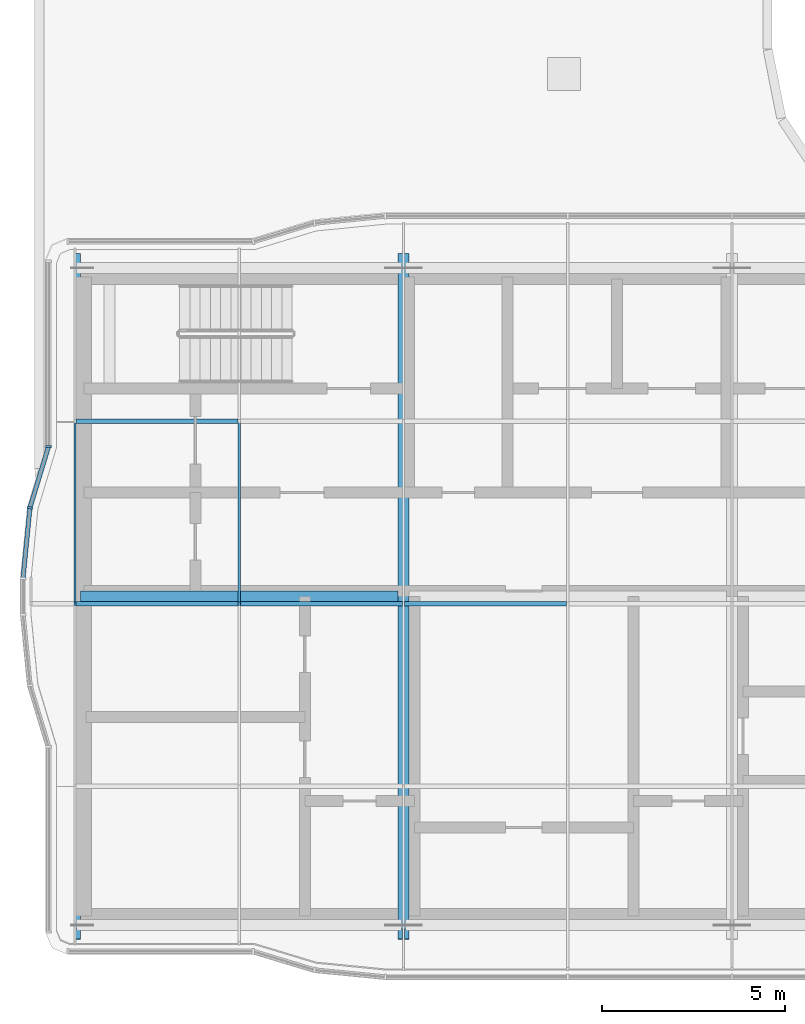
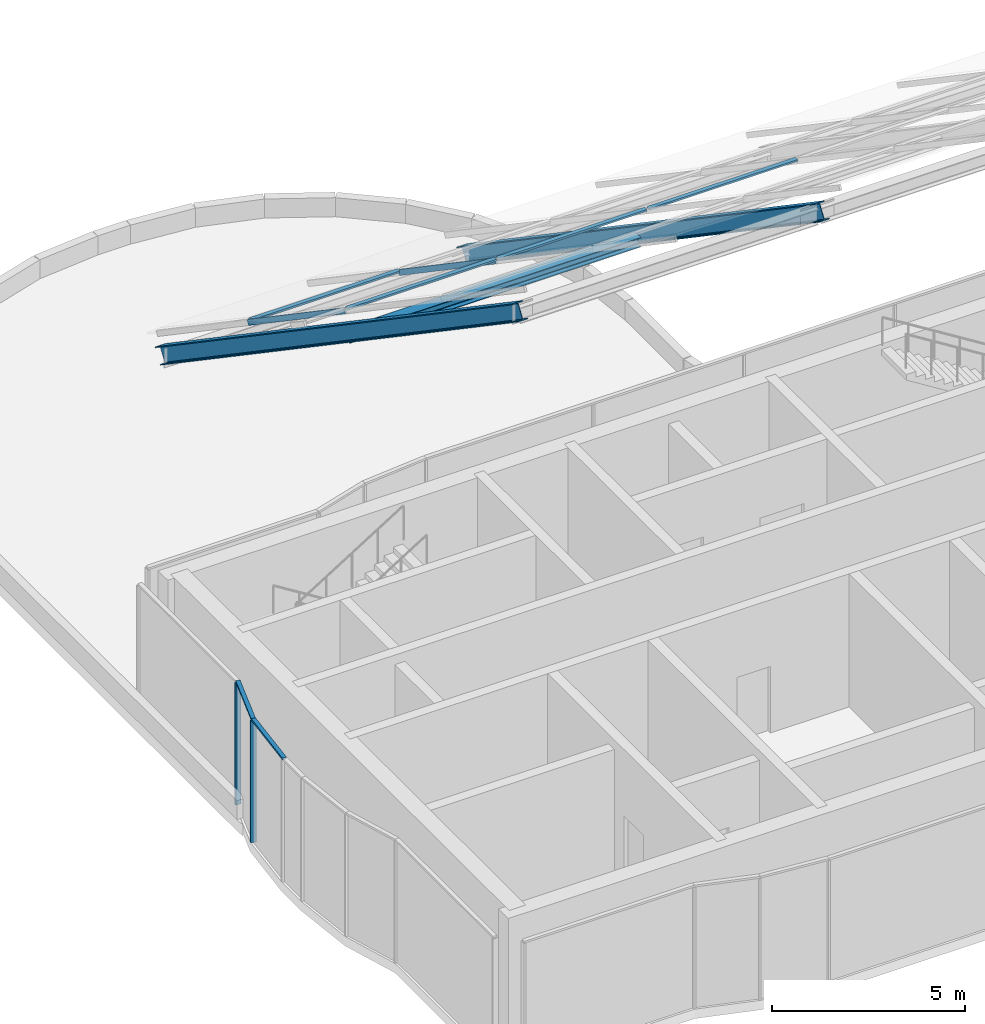
# One storey, part 3 of 25: 13 members, 5 elements without a shape of their own.
"""IFC4 building model written with IfcOpenShell, lengths in metres."""

from ifc_helpers import new_model, si_unit, direction, frame, origin, origin_2d, place, context, subcontext, project, spatial, rectangle, i_section, extrude, material, material_profile, profile_set, type_object, element, aggregate, save


model = new_model("IFC4")

# Units and contexts
model_context = context("Model", 3, precision=1e-05, world=origin(), true_north=direction((0.0, 1.0)))
body_context = subcontext(model_context, "Body", "Model", "MODEL_VIEW")
ifc_project = project(units=[si_unit("LENGTHUNIT", "METRE"), si_unit("AREAUNIT", "SQUARE_METRE"), si_unit("VOLUMEUNIT", "CUBIC_METRE"), si_unit("PLANEANGLEUNIT", "RADIAN"), si_unit("MASSUNIT", "GRAM", prefix="KILO")], contexts=[model_context])

# Site, building, storey
site_placement = place(None, origin())
site = spatial("IfcSite", under=ifc_project, at=site_placement, CompositionType="ELEMENT")
building_placement = place(site_placement, origin())
building = spatial("IfcBuilding", under=site, at=building_placement, Name="Ogive Portal Towers", CompositionType="ELEMENT")
storey_placement = place(building_placement, frame((0.0, 0.0, 272.89990234375)))
storey = spatial("IfcBuildingStorey", under=building, at=storey_placement, Name="L66", CompositionType="ELEMENT", Elevation=272.89990234375)

# Members
ifc_material_1 = material(Name="Steel S355", Category="steel")
ifc_material_profile_1 = material_profile(ifc_material_1, i_section(OverallWidth=0.300048828125, OverallDepth=0.300048828125, WebThickness=0.010986328125, FlangeThickness=0.01904296875, FilletRadius=0.027099609375, at=origin_2d()), Name="HEB 300")
ifc_profile_set_1 = profile_set([ifc_material_profile_1], Name="Steel S355")
member_type_1 = type_object("IfcMemberType", Name="CROWN PURLIN HEB 300", PredefinedType="PURLIN", material=ifc_profile_set_1)
member_1_placement = place(storey_placement, frame((31.64990234375, 30.5, 16.960205078125), z_axis=(1.0, 0.0, 0.0), x_axis=(0.0, 1.0, 0.0)))
element("IfcMember", 1, at=member_1_placement, inside=storey, type_object=member_type_1, Name="Crown purlin", PredefinedType="PURLIN", context=body_context, shape_type="SweptSolid", body=[
    extrude(i_section(OverallWidth=0.300048828125, OverallDepth=0.300048828125, WebThickness=0.010986328125, FlangeThickness=0.01904296875, FilletRadius=0.027099609375, at=origin_2d()), origin(), (0.0, 0.0, 1.0), 8.7001953125),
])
ifc_material_profile_2 = material_profile(ifc_material_1, i_section(OverallWidth=0.300048828125, OverallDepth=0.5, WebThickness=0.014404296875, FlangeThickness=0.028076171875, FilletRadius=0.027099609375, at=origin_2d()), Name="HEB 500")
ifc_profile_set_2 = profile_set([ifc_material_profile_2], Name="Steel S355")
member_type_2 = type_object("IfcMemberType", Name="CROWN RAFTER HEB 500", PredefinedType="RAFTER", material=ifc_profile_set_2)
for number, where, z_axis, x_axis, name in (
    (2, (31.5, 21.25, 23.397705078125), (0.0, 0.826929952607, -0.562304947054), (-1.0, 0.0, 0.0), "Crown rafter"),
    (3, (40.5, 21.25, 23.397705078125), (0.0, 0.826929952607, -0.562304947054), (-1.0, 0.0, 0.0), "Crown rafter"),
):
    element("IfcMember", number, at=place(storey_placement, frame(where, z_axis=z_axis, x_axis=x_axis)), inside=storey, type_object=member_type_2, Name=name, PredefinedType="RAFTER", context=body_context, shape_type="SweptSolid", body=[
        extrude(i_section(OverallWidth=0.300048828125, OverallDepth=0.5, WebThickness=0.014404296875, FlangeThickness=0.028076171875, FilletRadius=0.027099609375, at=origin_2d()), origin(), (0.0, 0.0, 1.0), 22.371826171875),
    ])

# Curtain wall, member
ifc_material_2 = material(Name="Glass, clear low-iron insulated glazing", Category="glass")
curtain_wall_type = type_object("IfcCurtainWallType", Name="CW CROWN GLAZING", PredefinedType="NOTDEFINED", material=ifc_material_2)
curtain_wall_1_placement = place(storey_placement, origin())
curtain_wall_1 = element("IfcCurtainWall", 4, at=curtain_wall_1_placement, inside=storey, type_object=curtain_wall_type, Name="A:L66:c18:cw", PredefinedType="NOTDEFINED")
ifc_material_3 = material(Name="Aluminium 6063 anodised", Category="aluminium")
ifc_material_profile_3 = material_profile(ifc_material_3, rectangle(XDim=0.159912109375, YDim=0.06005859375, at=origin_2d()), Name="AL 60x160")
ifc_profile_set_3 = profile_set([ifc_material_profile_3], Name="Aluminium 6063 anodised")
member_type_3 = type_object("IfcMemberType", Name="CW MULLION 60x160", PredefinedType="MULLION", material=ifc_profile_set_3)
member_2_placement = place(storey_placement, frame((30.780029296875, 34.61328125, 0.0), z_axis=(0.0, 0.0, 1.0), x_axis=(1.0, 0.0, 0.0)))
member_2 = element("IfcMember", 5, at=member_2_placement, type_object=member_type_3, Name="mullion", PredefinedType="MULLION", context=body_context, shape_type="SweptSolid", body=[
    extrude(rectangle(XDim=0.159912109375, YDim=0.06005859375, at=origin_2d()), origin(), (0.0, 0.0, 1.0), 3.840087890625),
])
aggregate(curtain_wall_1, [member_2])

curtain_wall_2_placement = place(storey_placement, origin())
curtain_wall_2 = element("IfcCurtainWall", 6, at=curtain_wall_2_placement, inside=storey, type_object=curtain_wall_type, Name="A:L66:c19:cw", PredefinedType="NOTDEFINED")
member_3_placement = place(storey_placement, frame((30.27099609375, 32.935302734375, 0.0), z_axis=(0.0, 0.0, 1.0), x_axis=(0.956940335732, -0.290284677254, 0.0)))
member_3 = element("IfcMember", 7, at=member_3_placement, type_object=member_type_3, Name="mullion", PredefinedType="MULLION", context=body_context, shape_type="SweptSolid", body=[
    extrude(rectangle(XDim=0.159912109375, YDim=0.06005859375, at=origin_2d()), origin(), (0.0, 0.0, 1.0), 3.840087890625),
])

# Curtain wall, members
curtain_wall_3_placement = place(storey_placement, origin())
curtain_wall_3 = element("IfcCurtainWall", 8, at=curtain_wall_3_placement, inside=storey, type_object=curtain_wall_type, Name="Crown roof glazing 1", PredefinedType="NOTDEFINED")
ifc_material_profile_4 = material_profile(ifc_material_3, rectangle(XDim=0.06005859375, YDim=0.159912109375, at=origin_2d()), Name="AL 60x160 rafter")
ifc_profile_set_4 = profile_set([ifc_material_profile_4], Name="Aluminium 6063 anodised")
member_type_4 = type_object("IfcMemberType", Name="CW ROOF RAFTER 60x160", PredefinedType="MULLION", material=ifc_profile_set_4)
member_4_placement = place(storey_placement, frame((31.5, 30.300048828125, 17.931640625), z_axis=(0.0, 0.82693401206, -0.562298977146), x_axis=(-1.0, 0.0, 0.0)))
member_4 = element("IfcMember", 9, at=member_4_placement, type_object=member_type_4, Name="roof rafter", PredefinedType="MULLION", context=body_context, shape_type="SweptSolid", body=[
    extrude(rectangle(XDim=0.06005859375, YDim=0.159912109375, at=origin_2d()), origin(), (0.0, 0.0, 1.0), 6.04638671875),
])
member_5_placement = place(storey_placement, frame((36.0, 30.300048828125, 17.931640625), z_axis=(0.0, 0.82693401206, -0.562298977146), x_axis=(-1.0, 0.0, 0.0)))
member_5 = element("IfcMember", 10, at=member_5_placement, type_object=member_type_4, Name="roof rafter", PredefinedType="MULLION", context=body_context, shape_type="SweptSolid", body=[
    extrude(rectangle(XDim=0.06005859375, YDim=0.159912109375, at=origin_2d()), origin(), (0.0, 0.0, 1.0), 6.04638671875),
])

# Member
ifc_material_profile_5 = material_profile(ifc_material_3, rectangle(XDim=0.1201171875, YDim=0.06005859375, at=origin_2d()), Name="AL 120x60")
ifc_profile_set_5 = profile_set([ifc_material_profile_5], Name="Aluminium 6063 anodised")
member_type_5 = type_object("IfcMemberType", Name="CW TRANSOM 60x120", PredefinedType="USERDEFINED", material=ifc_profile_set_5)
member_6_placement = place(storey_placement, frame((30.780029296875, 34.61328125, 3.8701171875), z_axis=(-0.290297203178, -0.956936535945, 0.0), x_axis=(0.956936535945, -0.290297203178, 0.0)))
member_6 = element("IfcMember", 11, at=member_6_placement, type_object=member_type_5, Name="transom", ObjectType="TRANSOM", PredefinedType="USERDEFINED", context=body_context, shape_type="SweptSolid", body=[
    extrude(rectangle(XDim=0.1201171875, YDim=0.06005859375, at=origin_2d()), origin(), (0.0, 0.0, 1.0), 1.75341796875),
])

aggregate(curtain_wall_2, [member_6, member_3])

# Curtain wall, member
curtain_wall_4_placement = place(storey_placement, origin())
curtain_wall_4 = element("IfcCurtainWall", 12, at=curtain_wall_4_placement, inside=storey, type_object=curtain_wall_type, Name="A:L66:c20:cw", PredefinedType="NOTDEFINED")
member_7_placement = place(storey_placement, frame((30.27099609375, 32.935302734375, 3.8701171875), z_axis=(-0.097977777587, -0.995188602778, 0.0), x_axis=(0.995188602778, -0.097977777587, 0.0)))
member_7 = element("IfcMember", 13, at=member_7_placement, type_object=member_type_5, Name="transom", ObjectType="TRANSOM", PredefinedType="USERDEFINED", context=body_context, shape_type="SweptSolid", body=[
    extrude(rectangle(XDim=0.1201171875, YDim=0.06005859375, at=origin_2d()), origin(), (0.0, 0.0, 1.0), 1.948486328125),
])
aggregate(curtain_wall_4, [member_7])

# Member
member_8_placement = place(storey_placement, frame((31.530029296875, 30.300048828125, 17.9921875), z_axis=(1.0, 0.0, 0.0), x_axis=(0.0, 1.0, 0.0)))
member_8 = element("IfcMember", 14, at=member_8_placement, type_object=member_type_5, Name="roof transom", ObjectType="TRANSOM", PredefinedType="USERDEFINED", context=body_context, shape_type="SweptSolid", body=[
    extrude(rectangle(XDim=0.1201171875, YDim=0.06005859375, at=origin_2d()), origin(), (0.0, 0.0, 1.0), 4.43994140625),
])

member_9_placement = place(storey_placement, frame((36.030029296875, 30.300048828125, 17.9921875), z_axis=(1.0, 0.0, 0.0), x_axis=(0.0, 1.0, 0.0)))
member_9 = element("IfcMember", 15, at=member_9_placement, type_object=member_type_5, Name="roof transom", ObjectType="TRANSOM", PredefinedType="USERDEFINED", context=body_context, shape_type="SweptSolid", body=[
    extrude(rectangle(XDim=0.1201171875, YDim=0.06005859375, at=origin_2d()), origin(), (0.0, 0.0, 1.0), 4.43994140625),
])

member_10_placement = place(storey_placement, frame((31.530029296875, 35.300048828125, 14.592041015625), z_axis=(1.0, 0.0, 0.0), x_axis=(0.0, 1.0, 0.0)))
member_10 = element("IfcMember", 16, at=member_10_placement, type_object=member_type_5, Name="roof transom", ObjectType="TRANSOM", PredefinedType="USERDEFINED", context=body_context, shape_type="SweptSolid", body=[
    extrude(rectangle(XDim=0.1201171875, YDim=0.06005859375, at=origin_2d()), origin(), (0.0, 0.0, 1.0), 4.43994140625),
])

aggregate(curtain_wall_3, [member_4, member_5, member_8, member_9, member_10])

# Curtain wall, member
curtain_wall_5_placement = place(storey_placement, origin())
curtain_wall_5 = element("IfcCurtainWall", 17, at=curtain_wall_5_placement, inside=storey, type_object=curtain_wall_type, Name="Crown roof glazing 2", PredefinedType="NOTDEFINED")
member_11_placement = place(storey_placement, frame((40.530029296875, 30.300048828125, 17.9921875), z_axis=(1.0, 0.0, 0.0), x_axis=(0.0, 1.0, 0.0)))
member_11 = element("IfcMember", 18, at=member_11_placement, type_object=member_type_5, Name="roof transom", ObjectType="TRANSOM", PredefinedType="USERDEFINED", context=body_context, shape_type="SweptSolid", body=[
    extrude(rectangle(XDim=0.1201171875, YDim=0.06005859375, at=origin_2d()), origin(), (0.0, 0.0, 1.0), 4.43994140625),
])
aggregate(curtain_wall_5, [member_11])

save(model, "model.ifc")
